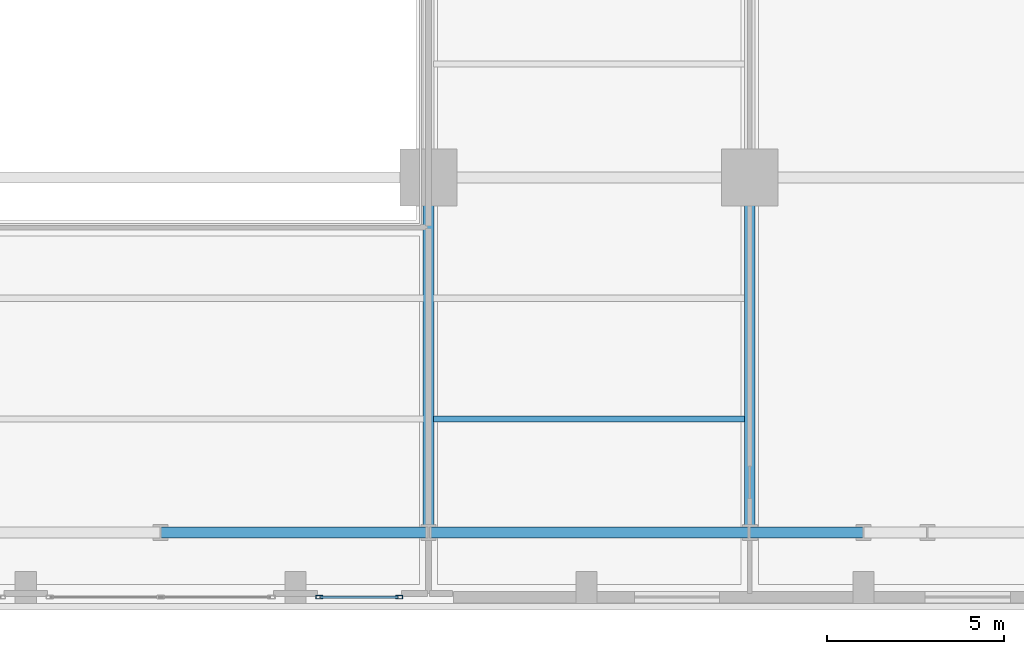
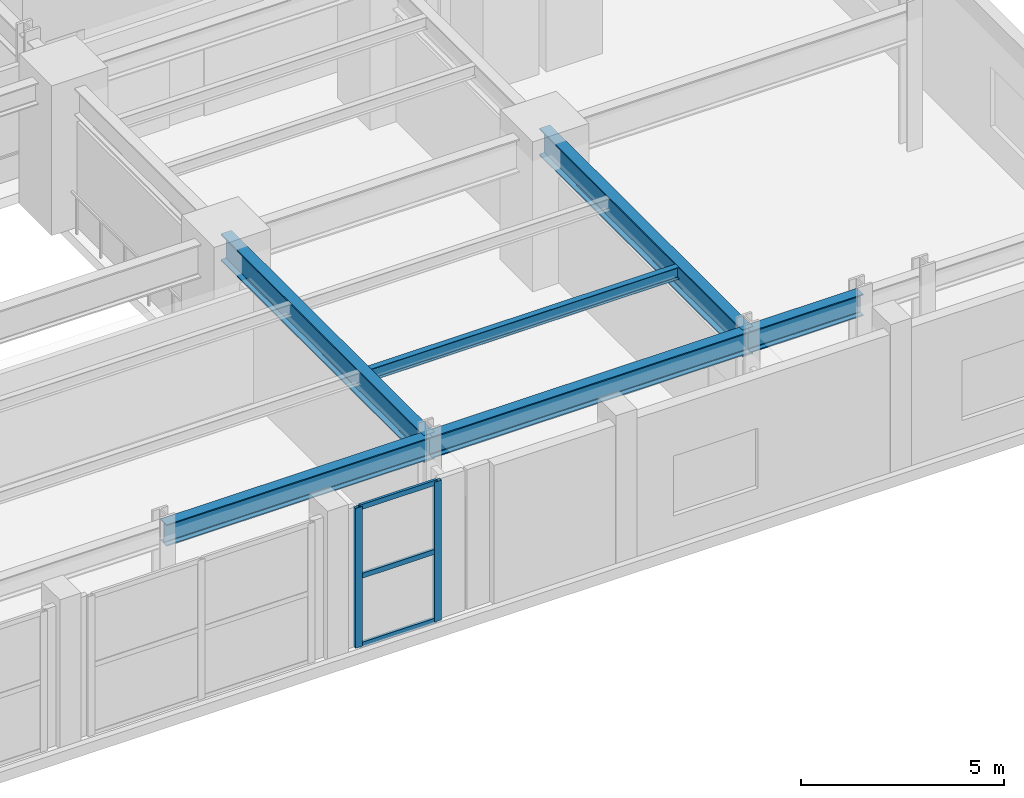
# One storey, part 4 of 14: 6 beams, 5 members, 1 element without a shape of its own.
"""IFC4 building model written with IfcOpenShell, lengths in metres."""

from ifc_helpers import new_model, si_unit, direction, frame, origin, origin_2d, place, context, subcontext, project, spatial, hollow_rectangle, i_section, extrude, material, layer, layer_set, material_profile, profile_set, type_object, element, aggregate, save


model = new_model("IFC4")

# Units and contexts
model_context = context("Model", 3, precision=1e-05, world=origin(), true_north=direction((0.0, 1.0)))
body_context = subcontext(model_context, "Body", "Model", "MODEL_VIEW")
ifc_project = project(units=[si_unit("LENGTHUNIT", "METRE"), si_unit("AREAUNIT", "SQUARE_METRE"), si_unit("VOLUMEUNIT", "CUBIC_METRE"), si_unit("PLANEANGLEUNIT", "RADIAN"), si_unit("MASSUNIT", "GRAM", prefix="KILO")], contexts=[model_context])

# Site, building, storey
site_placement = place(None, origin())
site = spatial("IfcSite", under=ifc_project, at=site_placement, CompositionType="ELEMENT")
building_placement = place(site_placement, origin())
building = spatial("IfcBuilding", under=site, at=building_placement, Name="Zarnavel Station Tower", CompositionType="ELEMENT")
storey_placement = place(building_placement, frame((0.0, 0.0, 10.39990234375)))
storey = spatial("IfcBuildingStorey", under=building, at=storey_placement, Name="L03", CompositionType="ELEMENT", Elevation=10.39990234375)

# Curtain wall, members
ifc_material_1 = material(Name="Aluminium Dark Anodised and Solar-Control Glass", Category="aluminium")
ifc_layer = layer(ifc_material_1, 0.179931640625)
ifc_layer_set = layer_set([ifc_layer], Name="CWS1")
curtain_wall_type = type_object("IfcCurtainWallType", Name="CWS1", PredefinedType="NOTDEFINED", material=ifc_layer_set)
curtain_wall_placement = place(storey_placement, origin())
curtain_wall = element("IfcCurtainWall", 1, at=curtain_wall_placement, inside=storey, type_object=curtain_wall_type, Name="L03 Curtain Wall CWS1-L03-S-S3", PredefinedType="NOTDEFINED")
ifc_material_2 = material(Name="Steel S355J2 (Black Fluoropolymer Coated)", Category="steel")
ifc_material_profile_1 = material_profile(ifc_material_2, hollow_rectangle(XDim=0.10009765625, YDim=0.199951171875, WallThickness=0.008056640625, at=origin_2d()), Name="RHS200x100x8")
ifc_profile_set_1 = profile_set([ifc_material_profile_1], Name="Steel S355J2 (Black Fluoropolymer Coated)")
member_type_1 = type_object("IfcMemberType", Name="CWS1_MUL", PredefinedType="MULLION", material=ifc_profile_set_1)
member_1_placement = place(storey_placement, frame((33.27392578125, 3.780029296875, 0.0), z_axis=(0.0, 0.0, 1.0), x_axis=(0.0, 1.0, 0.0)))
member_1 = element("IfcMember", 2, at=member_1_placement, type_object=member_type_1, Name="CW1 mullion 1", PredefinedType="MULLION", context=body_context, shape_type="SweptSolid", body=[
    extrude(hollow_rectangle(XDim=0.10009765625, YDim=0.199951171875, WallThickness=0.008056640625, at=origin_2d()), origin(), (0.0, 0.0, 1.0), 4.2001953125),
])
member_2_placement = place(storey_placement, frame((35.52001953125, 3.780029296875, 0.0), z_axis=(0.0, 0.0, 1.0), x_axis=(0.0, 1.0, 0.0)))
member_2 = element("IfcMember", 3, at=member_2_placement, type_object=member_type_1, Name="CW1 mullion 2", PredefinedType="MULLION", context=body_context, shape_type="SweptSolid", body=[
    extrude(hollow_rectangle(XDim=0.10009765625, YDim=0.199951171875, WallThickness=0.008056640625, at=origin_2d()), origin(), (0.0, 0.0, 1.0), 4.2001953125),
])
ifc_material_3 = material(Name="Steel S355J2 (Black Fluoropolymer Coated)", Category="steel")
ifc_material_profile_2 = material_profile(ifc_material_3, hollow_rectangle(XDim=0.074951171875, YDim=0.14990234375, WallThickness=0.00634765625, at=origin_2d()), Name="RHS150x75x6.3")
ifc_profile_set_2 = profile_set([ifc_material_profile_2], Name="Steel S355J2 (Black Fluoropolymer Coated)")
member_type_2 = type_object("IfcMemberType", Name="CWS1_TRN", PredefinedType="USERDEFINED", material=ifc_profile_set_2)
member_3_placement = place(storey_placement, frame((33.303955078125, 3.780029296875, 0.030029296875), z_axis=(1.0, 0.0, 0.0), x_axis=(0.0, 1.0, 0.0)))
member_3 = element("IfcMember", 4, at=member_3_placement, type_object=member_type_2, Name="CW1 transom 1.1", ObjectType="TRANSOM", PredefinedType="USERDEFINED", context=body_context, shape_type="SweptSolid", body=[
    extrude(hollow_rectangle(XDim=0.074951171875, YDim=0.14990234375, WallThickness=0.00634765625, at=origin_2d()), origin(), (0.0, 0.0, 1.0), 2.18603515625),
])
member_4_placement = place(storey_placement, frame((33.303955078125, 3.780029296875, 2.10009765625), z_axis=(1.0, 0.0, 0.0), x_axis=(0.0, 1.0, 0.0)))
member_4 = element("IfcMember", 5, at=member_4_placement, type_object=member_type_2, Name="CW1 transom 1.2", ObjectType="TRANSOM", PredefinedType="USERDEFINED", context=body_context, shape_type="SweptSolid", body=[
    extrude(hollow_rectangle(XDim=0.074951171875, YDim=0.14990234375, WallThickness=0.00634765625, at=origin_2d()), origin(), (0.0, 0.0, 1.0), 2.18603515625),
])
member_5_placement = place(storey_placement, frame((33.303955078125, 3.780029296875, 4.170166015625), z_axis=(1.0, 0.0, 0.0), x_axis=(0.0, 1.0, 0.0)))
member_5 = element("IfcMember", 6, at=member_5_placement, type_object=member_type_2, Name="CW1 transom 1.3", ObjectType="TRANSOM", PredefinedType="USERDEFINED", context=body_context, shape_type="SweptSolid", body=[
    extrude(hollow_rectangle(XDim=0.074951171875, YDim=0.14990234375, WallThickness=0.00634765625, at=origin_2d()), origin(), (0.0, 0.0, 1.0), 2.18603515625),
])
aggregate(curtain_wall, [member_1, member_2, member_3, member_4, member_5])

# Beams
ifc_material_4 = material(Name="Steel S355J2", Category="steel")
ifc_material_profile_3 = material_profile(ifc_material_4, i_section(OverallWidth=0.300048828125, OverallDepth=0.64990234375, WebThickness=0.01611328125, FlangeThickness=0.031005859375, FilletRadius=0.027099609375, at=origin_2d()), Name="HEB650")
ifc_profile_set_3 = profile_set([ifc_material_profile_3], Name="Steel S355J2")
beam_type_1 = type_object("IfcBeamType", Name="FG_HEB650", PredefinedType="USERDEFINED", material=ifc_profile_set_3)
beam_1_placement = place(storey_placement, frame((28.800048828125, 5.60009765625, 3.875), z_axis=(1.0, 0.0, 0.0), x_axis=(0.0, 1.0, 0.0)))
element("IfcBeam", 7, at=beam_1_placement, inside=storey, type_object=beam_type_1, Name="L03 EW Frame Girder 1-6", ObjectType="GIRDER", PredefinedType="USERDEFINED", context=body_context, shape_type="SweptSolid", body=[
    extrude(i_section(OverallWidth=0.300048828125, OverallDepth=0.64990234375, WebThickness=0.01611328125, FlangeThickness=0.031005859375, FilletRadius=0.027099609375, at=origin_2d()), origin(), (0.0, 0.0, 1.0), 7.550048828125),
])
beam_2_placement = place(storey_placement, frame((36.35009765625, 5.60009765625, 3.875), z_axis=(1.0, 0.0, 0.0), x_axis=(0.0, 1.0, 0.0)))
element("IfcBeam", 8, at=beam_2_placement, inside=storey, type_object=beam_type_1, Name="L03 EW Frame Girder 1-7", ObjectType="GIRDER", PredefinedType="USERDEFINED", context=body_context, shape_type="SweptSolid", body=[
    extrude(i_section(OverallWidth=0.300048828125, OverallDepth=0.64990234375, WebThickness=0.01611328125, FlangeThickness=0.031005859375, FilletRadius=0.027099609375, at=origin_2d()), origin(), (0.0, 0.0, 1.0), 9.0498046875),
])
beam_3_placement = place(storey_placement, frame((45.39990234375, 5.60009765625, 3.875), z_axis=(1.0, 0.0, 0.0), x_axis=(0.0, 1.0, 0.0)))
element("IfcBeam", 9, at=beam_3_placement, inside=storey, type_object=beam_type_1, Name="L03 EW Frame Girder 1-8", ObjectType="GIRDER", PredefinedType="USERDEFINED", context=body_context, shape_type="SweptSolid", body=[
    extrude(i_section(OverallWidth=0.300048828125, OverallDepth=0.64990234375, WebThickness=0.01611328125, FlangeThickness=0.031005859375, FilletRadius=0.027099609375, at=origin_2d()), origin(), (0.0, 0.0, 1.0), 3.2001953125),
])
ifc_material_5 = material(Name="Steel S460M", Category="steel")
ifc_material_profile_4 = material_profile(ifc_material_5, i_section(OverallWidth=0.302978515625, OverallDepth=0.81396484375, WebThickness=0.02099609375, FlangeThickness=0.0400390625, FilletRadius=0.030029296875, at=origin_2d()), Name="HEM800")
ifc_profile_set_4 = profile_set([ifc_material_profile_4], Name="Steel S460M")
beam_type_2 = type_object("IfcBeamType", Name="FG_HEM800", PredefinedType="USERDEFINED", material=ifc_profile_set_4)
for number, where, z_axis, x_axis, name in (
    (10, (36.35009765625, 5.60009765625, 3.793212890625), (0.0, 1.0, 0.0), (-1.0, 0.0, 0.0), "L03 NS Girder South 3"),
    (11, (45.39990234375, 5.60009765625, 3.793212890625), (0.0, 1.0, 0.0), (-1.0, 0.0, 0.0), "L03 NS Girder South 4"),
):
    element("IfcBeam", number, at=place(storey_placement, frame(where, z_axis=z_axis, x_axis=x_axis)), inside=storey, type_object=beam_type_2, Name=name, ObjectType="GIRDER", PredefinedType="USERDEFINED", context=body_context, shape_type="SweptSolid", body=[
        extrude(i_section(OverallWidth=0.302978515625, OverallDepth=0.81396484375, WebThickness=0.02099609375, FlangeThickness=0.0400390625, FilletRadius=0.030029296875, at=origin_2d()), origin(), (0.0, 0.0, 1.0), 10.0),
    ])
ifc_material_6 = material(Name="Steel S355J2", Category="steel")
ifc_material_profile_5 = material_profile(ifc_material_6, i_section(OverallWidth=0.169921875, OverallDepth=0.360107421875, WebThickness=0.008056640625, FlangeThickness=0.0126953125, FilletRadius=0.01806640625, at=origin_2d()), Name="IPE360")
ifc_profile_set_5 = profile_set([ifc_material_profile_5], Name="Steel S355J2")
beam_type_3 = type_object("IfcBeamType", Name="FJ_IPE360", PredefinedType="JOIST", material=ifc_profile_set_5)
beam_4_placement = place(storey_placement, frame((36.4951171875, 8.800048828125, 4.02001953125), z_axis=(1.0, 0.0, 0.0), x_axis=(0.0, 1.0, 0.0)))
element("IfcBeam", 12, at=beam_4_placement, inside=storey, type_object=beam_type_3, Name="L03 Floor Joist E1", PredefinedType="JOIST", context=body_context, shape_type="SweptSolid", body=[
    extrude(i_section(OverallWidth=0.169921875, OverallDepth=0.360107421875, WebThickness=0.008056640625, FlangeThickness=0.0126953125, FilletRadius=0.01806640625, at=origin_2d()), origin(), (0.0, 0.0, 1.0), 8.759765625),
])

save(model, "model.ifc")
